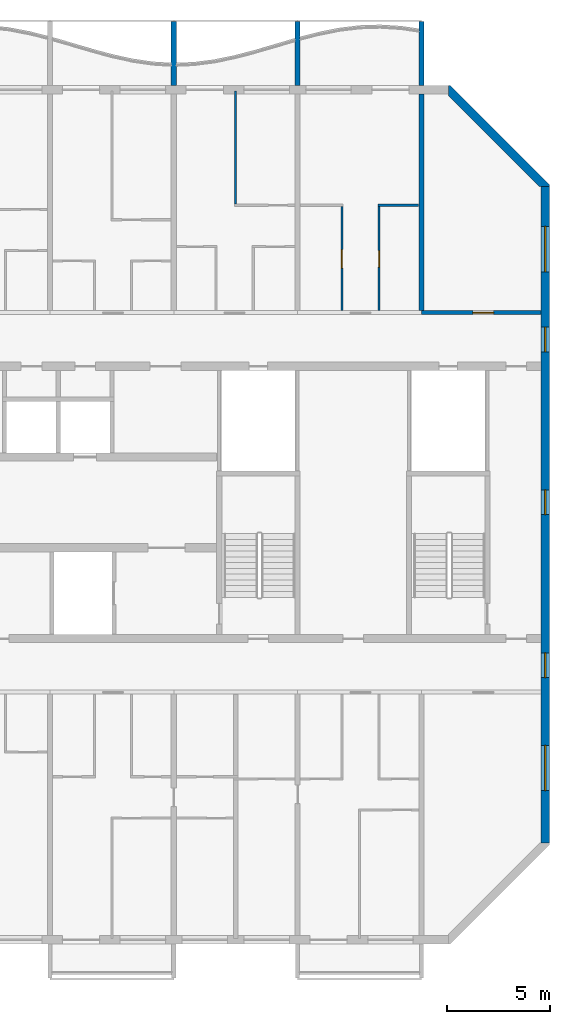
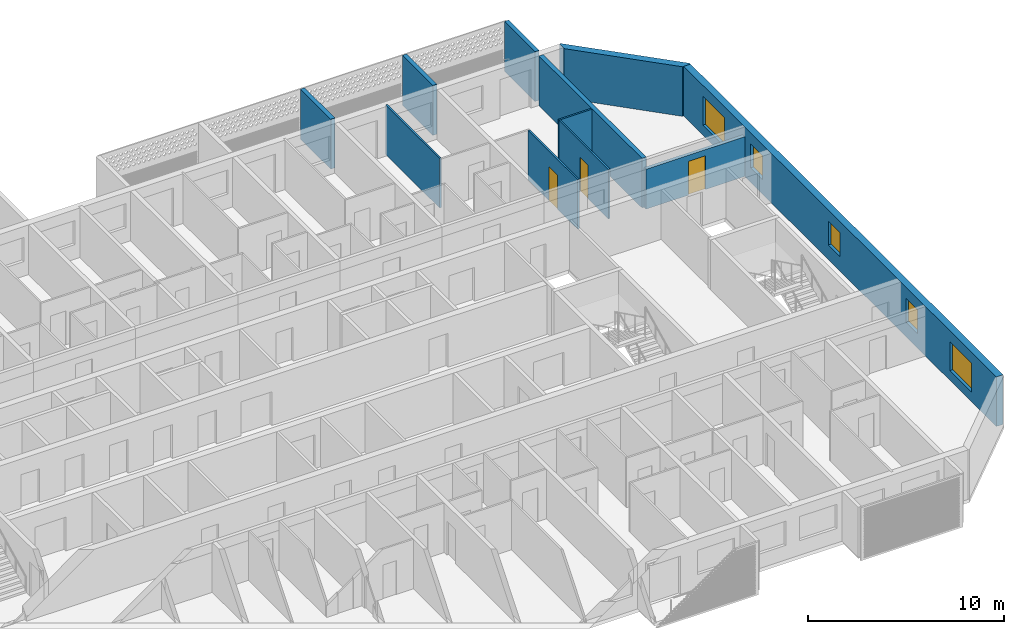
# One storey, part 11 of 28: 11 walls, 5 windows, 3 doors, 8 openings.
"""IFC4 building model written with IfcOpenShell, lengths in metres."""

import ifcopenshell
import ifcopenshell.guid

model = None  # the IFC model being written
_history = None  # IfcOwnerHistory: only IFC2X3 demands one
_inside = {}  # id of a spatial element -> (the spatial element, [elements in it])
_under = {}  # id of a project, library or spatial element -> (it, [spatial elements below it])
_declared = {}  # id of a project -> (the project, [libraries it declares])
_typed = {}  # id of a type object -> (the type object, [elements of that type])
_made_of = {}  # id of a material, layer set ... -> (it, [elements and type objects made of it])


def new_model(schema):
    """Start an empty IFC model of exactly this schema.

    Asked for "IFC4X3", IfcOpenShell would pick the latest addendum, in which some entities
    have other attributes; the version numbers below select the first issue.
    IFC2X3 requires an IfcOwnerHistory on every rooted entity: one is made here for all.
    """
    global model, _history
    if schema == "IFC4X3":
        model = ifcopenshell.file(schema_version=(4, 3, 0, 0))
    else:
        model = ifcopenshell.file(schema=schema)
    _inside.clear()
    _under.clear()
    _declared.clear()
    _typed.clear()
    _made_of.clear()
    _history = None
    if model.schema == "IFC2X3":
        org = make("IfcOrganization", Name="unknown")
        user = make(
            "IfcPersonAndOrganization",
            ThePerson=make("IfcPerson", FamilyName="unknown"),
            TheOrganization=org,
        )
        app = make(
            "IfcApplication",
            ApplicationDeveloper=org,
            Version="unknown",
            ApplicationFullName="unknown",
            ApplicationIdentifier="unknown",
        )
        _history = make(
            "IfcOwnerHistory",
            OwningUser=user,
            OwningApplication=app,
            ChangeAction="ADDED",
            CreationDate=0,
        )
    return model


def make(cls, **values):
    """One entity of the class cls with the attributes given. An attribute that is None is left unset."""
    return model.create_entity(
        cls, **{name: value for name, value in values.items() if value is not None}
    )


def rooted(cls, **values):
    """An entity with a GlobalId (a new one), such as an element, a storey or a relation."""
    return make(cls, GlobalId=ifcopenshell.guid.new(), OwnerHistory=_history, **values)


def si_unit(unit_type, name, prefix=None):
    """IfcSIUnit, for example si_unit("LENGTHUNIT", "METRE", prefix="MILLI")."""
    return make("IfcSIUnit", UnitType=unit_type, Prefix=prefix, Name=name)


def assignment(units):
    """IfcUnitAssignment: the units of a project."""
    return None if units is None else make("IfcUnitAssignment", Units=units)


def point(xyz):
    """IfcCartesianPoint."""
    return None if xyz is None else make("IfcCartesianPoint", Coordinates=xyz)


def direction(xyz):
    """IfcDirection."""
    return None if xyz is None else make("IfcDirection", DirectionRatios=xyz)


def frame(location, z_axis=None, x_axis=None):
    """IfcAxis2Placement3D, a coordinate frame: its origin and axes. An axis left out is left unset."""
    return make(
        "IfcAxis2Placement3D",
        Location=point(location),
        Axis=direction(z_axis),
        RefDirection=direction(x_axis),
    )


def frame_2d(location, x_axis=None):
    """IfcAxis2Placement2D, a coordinate frame in the plane: its origin and x axis."""
    return make(
        "IfcAxis2Placement2D", Location=point(location), RefDirection=direction(x_axis)
    )


def origin():
    """The frame at (0, 0, 0) with its axes left unset."""
    return frame((0.0, 0.0, 0.0))


def place(relative_to, where):
    """IfcLocalPlacement: puts the frame where relative to a parent placement (None: the world)."""
    return make(
        "IfcLocalPlacement", PlacementRelTo=relative_to, RelativePlacement=where
    )


def context(
    kind, dimensions, precision=None, world=None, true_north=None, identifier=None
):
    """IfcGeometricRepresentationContext, for example the 3D "Model" context."""
    return make(
        "IfcGeometricRepresentationContext",
        ContextIdentifier=identifier,
        ContextType=kind,
        CoordinateSpaceDimension=dimensions,
        Precision=precision,
        WorldCoordinateSystem=world,
        TrueNorth=true_north,
    )


def subcontext(parent, identifier, kind, view, scale=None):
    """IfcGeometricRepresentationSubContext, for example "Body" below "Model"."""
    return make(
        "IfcGeometricRepresentationSubContext",
        ContextIdentifier=identifier,
        ContextType=kind,
        ParentContext=parent,
        TargetScale=scale,
        TargetView=view,
    )


def project(units=None, contexts=None):
    """IfcProject with its units and contexts."""
    return rooted(
        "IfcProject",
        Name="project",
        RepresentationContexts=contexts,
        UnitsInContext=assignment(units),
    )


def spatial(cls, under=None, at=None, **own):
    """A site, building, storey or space (cls), placed at a placement, below another one or the project."""
    s = rooted(cls, ObjectPlacement=at, **own)
    if under is not None:
        _under.setdefault(under.id(), (under, []))[1].append(s)
    return s


def polyline(points):
    """IfcPolyline through the points."""
    return make("IfcPolyline", Points=[point(p) for p in points])


def profile(cls, at=None, kind="AREA", **sizes):
    """A parametric profile (cls). Its sizes go by their IFC names, for example OverallWidth=200.0."""
    return make(cls, ProfileType=kind, Position=at, **sizes)


def rectangle(**sizes):
    """IfcRectangleProfileDef."""
    return profile("IfcRectangleProfileDef", **sizes)


def outline(outer, holes=None, kind="AREA"):
    """IfcArbitraryClosedProfileDef: a profile drawn as a closed curve; with holes, ...WithVoids."""
    if holes is None:
        return make("IfcArbitraryClosedProfileDef", ProfileType=kind, OuterCurve=outer)
    return make(
        "IfcArbitraryProfileDefWithVoids",
        ProfileType=kind,
        OuterCurve=outer,
        InnerCurves=holes,
    )


def extrude(swept, where, along, depth):
    """IfcExtrudedAreaSolid: the profile swept, set in the frame where, extruded along a direction by depth."""
    return make(
        "IfcExtrudedAreaSolid",
        SweptArea=swept,
        Position=where,
        ExtrudedDirection=direction(along),
        Depth=depth,
    )


def shape(context_of_items, identifier, shape_type, items):
    """IfcShapeRepresentation: the items that make up one representation, for example the "Body"."""
    return make(
        "IfcShapeRepresentation",
        ContextOfItems=context_of_items,
        RepresentationIdentifier=identifier,
        RepresentationType=shape_type,
        Items=items,
    )


def source(mapping_origin, context_of_items, identifier, shape_type, items):
    """IfcRepresentationMap: a shape defined once, which mapped items show again and again."""
    return make(
        "IfcRepresentationMap",
        MappingOrigin=mapping_origin,
        MappedRepresentation=shape(context_of_items, identifier, shape_type, items),
    )


def transform(
    local_origin,
    x_axis=None,
    y_axis=None,
    z_axis=None,
    scale=None,
    scale2=None,
    scale3=None,
    uniform=True,
):
    """IfcCartesianTransformationOperator3D, or its non-uniform kind. x_axis, y_axis, z_axis: its Axis1, 2, 3."""
    if uniform:
        return make(
            "IfcCartesianTransformationOperator3D",
            Axis1=direction(x_axis),
            Axis2=direction(y_axis),
            LocalOrigin=point(local_origin),
            Scale=scale,
            Axis3=direction(z_axis),
        )
    return make(
        "IfcCartesianTransformationOperator3DnonUniform",
        Axis1=direction(x_axis),
        Axis2=direction(y_axis),
        LocalOrigin=point(local_origin),
        Scale=scale,
        Axis3=direction(z_axis),
        Scale2=scale2,
        Scale3=scale3,
    )


def mapped(mapping_source, mapping_target):
    """IfcMappedItem: shows the shape of a source again, moved by a transform."""
    return make(
        "IfcMappedItem", MappingSource=mapping_source, MappingTarget=mapping_target
    )


def material(Name=None, Category=None):
    """IfcMaterial."""
    return make("IfcMaterial", Name=Name, Category=Category)


def layer(
    of_material, thickness, ventilated=None, Name=None, Category=None, Priority=None
):
    """IfcMaterialLayer: one layer of a wall or slab, of a material (None: an air gap)."""
    return make(
        "IfcMaterialLayer",
        Material=of_material,
        LayerThickness=thickness,
        IsVentilated=ventilated,
        Name=Name,
        Category=Category,
        Priority=Priority,
    )


def layer_set(layers, Name=None):
    """IfcMaterialLayerSet."""
    return make("IfcMaterialLayerSet", MaterialLayers=layers, LayerSetName=Name)


def made_of(thing, what):
    """Note that an element or type object is made of a material, layer set ...; save() writes the relation."""
    if what is not None:
        _made_of.setdefault(what.id(), (what, []))[1].append(thing)
    return thing


def type_object(cls, material=None, **own):
    """A type object (cls), such as IfcWallType, which elements share."""
    return made_of(rooted(cls, **own), material)


def element(
    cls,
    number,
    at=None,
    inside=None,
    cuts=None,
    type_object=None,
    material=None,
    context=None,
    identifier="Body",
    shape_type=None,
    held_by="IfcProductDefinitionShape",
    body=None,
    shapes=None,
    **own,
):
    """One element of the class cls, such as IfcWall. Its Tag is "e" and its number.

    at: its placement. inside: the storey or other place that contains it. cuts: it is an
    opening in that element (IfcRelVoidsElement). A single representation is given by context,
    identifier, shape_type and body (its items); several are given by shapes. held_by: the class
    of the entity that holds the representations. save() writes the other relations.
    """
    e = rooted(cls, Tag="e%d" % number, ObjectPlacement=at, **own)
    if body is not None:
        shapes = [shape(context, identifier, shape_type, body)]
    if shapes is not None:
        e.Representation = make(held_by, Representations=shapes)
    if inside is not None:
        _inside.setdefault(inside.id(), (inside, []))[1].append(e)
    if cuts is not None:
        rooted(
            "IfcRelVoidsElement", RelatingBuildingElement=cuts, RelatedOpeningElement=e
        )
    if type_object is not None:
        _typed.setdefault(type_object.id(), (type_object, []))[1].append(e)
    return made_of(e, material)


def fill(opening, filler):
    """IfcRelFillsElement: the door or window that sits in an opening."""
    return rooted(
        "IfcRelFillsElement",
        RelatingOpeningElement=opening,
        RelatedBuildingElement=filler,
    )


def aggregate(whole, parts):
    """IfcRelAggregates: a whole, such as a stair, and the parts it consists of."""
    return rooted("IfcRelAggregates", RelatingObject=whole, RelatedObjects=parts)


def save(model, path):
    """Write the relations noted so far, then the file.

    IfcRelAggregates (storeys below a building ...), IfcRelContainedInSpatialStructure (elements
    in a storey), IfcRelDefinesByType, IfcRelAssociatesMaterial and IfcRelDeclares: one each for
    every whole, place, type object, material and project.
    """
    for whole, parts in _under.values():
        aggregate(whole, parts)
    for where, things in _inside.values():
        rooted(
            "IfcRelContainedInSpatialStructure",
            RelatedElements=things,
            RelatingStructure=where,
        )
    for kind, things in _typed.values():
        rooted("IfcRelDefinesByType", RelatedObjects=things, RelatingType=kind)
    for what, things in _made_of.values():
        rooted("IfcRelAssociatesMaterial", RelatedObjects=things, RelatingMaterial=what)
    for by, libraries in _declared.values():
        rooted("IfcRelDeclares", RelatingContext=by, RelatedDefinitions=libraries)
    model.write(path)


model = new_model("IFC4")

# Units and contexts
model_context = context("Model", 3, precision=1e-05, world=origin(), true_north=direction((0.0, 1.0)))
body_context = subcontext(model_context, "Body", "Model", "MODEL_VIEW")
ifc_project = project(units=[si_unit("LENGTHUNIT", "METRE"), si_unit("AREAUNIT", "SQUARE_METRE"), si_unit("VOLUMEUNIT", "CUBIC_METRE"), si_unit("PLANEANGLEUNIT", "RADIAN"), si_unit("MASSUNIT", "GRAM", prefix="KILO")], contexts=[model_context])

# Site, building, storey
site_placement = place(None, origin())
site = spatial("IfcSite", under=ifc_project, at=site_placement, CompositionType="ELEMENT")
building_placement = place(site_placement, origin())
building = spatial("IfcBuilding", under=site, at=building_placement, Name="Poui Terraces", CompositionType="ELEMENT")
storey_placement = place(building_placement, frame((0.0, 0.0, 188.39990234375)))
storey = spatial("IfcBuildingStorey", under=building, at=storey_placement, Name="L52", CompositionType="ELEMENT", Elevation=188.39990234375)

# Wall, opening, door
ifc_material_1 = material(Name="Concrete 50 MPa", Category="concrete")
ifc_layer_1 = layer(ifc_material_1, 0.199951171875)
ifc_layer_set_1 = layer_set([ifc_layer_1], Name="Concrete 50 MPa")
wall_type_1 = type_object("IfcWallType", Name="CORRIDOR WALL 200 50MPa", PredefinedType="SHEAR", material=ifc_layer_set_1)
wall_1_placement = place(storey_placement, frame((78.0, 30.39990234375, 0.0), z_axis=(0.0, 0.0, 1.0), x_axis=(1.0, 0.0, 0.0)))
wall_1 = element("IfcWall", 1, at=wall_1_placement, inside=storey, type_object=wall_type_1, Name="CORRIDOR WALL LINE E BAY 11", PredefinedType="SHEAR", context=body_context, shape_type="SweptSolid", body=[
    extrude(rectangle(XDim=5.800048828125, YDim=0.199951171875, at=frame_2d((2.89990234375, 0.0))), origin(), (0.0, 0.0, 1.0), 2.47998046875),
])
opening_1_placement = place(wall_1_placement, frame((2.5, 0.0, 0.0)))
opening_1 = element("IfcOpeningElement", 2, at=opening_1_placement, cuts=wall_1, Name="Opening D100", PredefinedType="OPENING", context=body_context, shape_type="SweptSolid", body=[
    extrude(rectangle(XDim=1.0, YDim=2.10009765625, at=frame_2d((0.5, 1.050048828125))), frame((0.0, 0.10986328125, 0.0), z_axis=(0.0, -1.0, 0.0), x_axis=(1.0, 0.0, 0.0)), (0.0, 0.0, 1.0), 0.219970703125),
])
ifc_material_2 = material(Name="Solid core timber door", Category="wood")
door_type_1 = type_object("IfcDoorType", Name="ACCESSIBLE INTERNAL DOOR 1000 X 2100", OperationType="NOTDEFINED", PredefinedType="DOOR", material=ifc_material_2)
door_1_placement = place(opening_1_placement, origin())
door_1 = element("IfcDoor", 3, at=door_1_placement, inside=storey, type_object=door_type_1, Name="ACCESSIBLE INTERNAL DOOR 063", OperationType="SINGLE_SWING_LEFT", OverallHeight=2.10009765625, OverallWidth=1.0, PredefinedType="DOOR", context=body_context, shape_type="SweptSolid", body=[
    extrude(rectangle(XDim=1.0, YDim=2.10009765625, at=frame_2d((0.5, 1.050048828125))), frame((0.0, 0.02490234375, 0.0), z_axis=(0.0, -1.0, 0.0), x_axis=(1.0, 0.0, 0.0)), (0.0, 0.0, 1.0), 0.050048828125),
])
fill(opening_1, door_1)

# Wall
ifc_layer_2 = layer(ifc_material_1, 0.25)
ifc_layer_set_2 = layer_set([ifc_layer_2], Name="Concrete 50 MPa")
wall_type_2 = type_object("IfcWallType", Name="CROSS WALL 250 50MPa", PredefinedType="SHEAR", material=ifc_layer_set_2)
wall_2_placement = place(storey_placement, frame((78.0, 30.5, 0.0), z_axis=(0.0, 0.0, 1.0), x_axis=(0.0, 1.0, 0.0)))
element("IfcWall", 4, at=wall_2_placement, inside=storey, type_object=wall_type_2, Name="CROSS WALL LINE 14 NORTH", PredefinedType="SHEAR", context=body_context, shape_type="SweptSolid", body=[
    extrude(rectangle(XDim=10.5, YDim=0.25, at=frame_2d((5.25, 0.0))), origin(), (0.0, 0.0, 1.0), 3.080078125),
])

# Wall, openings, windows
ifc_layer_3 = layer(ifc_material_1, 0.39990234375)
ifc_layer_set_3 = layer_set([ifc_layer_3], Name="Concrete 50 MPa")
wall_type_3 = type_object("IfcWallType", Name="END WALL 400 50MPa", PredefinedType="SHEAR", material=ifc_layer_set_3)
wall_3_placement = place(storey_placement, frame((84.0, 4.682861328125, 0.0), z_axis=(0.0, 0.0, 1.0), x_axis=(0.0, 1.0, 0.0)))
wall_3 = element("IfcWall", 5, at=wall_3_placement, inside=storey, type_object=wall_type_3, Name="END WALL EAST", PredefinedType="SHEAR", context=body_context, shape_type="SweptSolid", body=[
    extrude(rectangle(XDim=31.834228515625, YDim=0.39990234375, at=frame_2d((15.9169921875, 0.0))), origin(), (0.0, 0.0, 1.0), 3.080078125),
])
opening_2_placement = place(wall_3_placement, frame((23.817138671875, 0.0, 0.89990234375)))
opening_2 = element("IfcOpeningElement", 6, at=opening_2_placement, cuts=wall_3, Name="Opening W2", PredefinedType="OPENING", context=body_context, shape_type="SweptSolid", body=[
    extrude(rectangle(XDim=1.199951171875, YDim=1.5, at=frame_2d((0.60009765625, 0.75))), frame((0.0, 0.2099609375, 0.0), z_axis=(0.0, -1.0, 0.0), x_axis=(1.0, 0.0, 0.0)), (0.0, 0.0, 1.0), 0.419921875),
])
opening_3_placement = place(wall_3_placement, frame((8.01708984375, 0.0, 0.89990234375)))
opening_3 = element("IfcOpeningElement", 7, at=opening_3_placement, cuts=wall_3, Name="Opening W2", PredefinedType="OPENING", context=body_context, shape_type="SweptSolid", body=[
    extrude(rectangle(XDim=1.199951171875, YDim=1.5, at=frame_2d((0.60009765625, 0.75))), frame((0.0, 0.2099609375, 0.0), z_axis=(0.0, -1.0, 0.0), x_axis=(1.0, 0.0, 0.0)), (0.0, 0.0, 1.0), 0.419921875),
])
opening_4_placement = place(wall_3_placement, frame((27.693603515625, 0.0, 0.60009765625)))
opening_4 = element("IfcOpeningElement", 8, at=opening_4_placement, cuts=wall_3, Name="Opening W3", PredefinedType="OPENING", context=body_context, shape_type="SweptSolid", body=[
    extrude(rectangle(XDim=2.199951171875, YDim=1.800048828125, at=frame_2d((1.10009765625, 0.89990234375))), frame((0.0, 0.2099609375, 0.0), z_axis=(0.0, -1.0, 0.0), x_axis=(1.0, 0.0, 0.0)), (0.0, 0.0, 1.0), 0.419921875),
])
opening_5_placement = place(wall_3_placement, frame((2.541015625, 0.0, 0.60009765625)))
opening_5 = element("IfcOpeningElement", 9, at=opening_5_placement, cuts=wall_3, Name="Opening W3", PredefinedType="OPENING", context=body_context, shape_type="SweptSolid", body=[
    extrude(rectangle(XDim=2.199951171875, YDim=1.800048828125, at=frame_2d((1.10009765625, 0.89990234375))), frame((0.0, 0.2099609375, 0.0), z_axis=(0.0, -1.0, 0.0), x_axis=(1.0, 0.0, 0.0)), (0.0, 0.0, 1.0), 0.419921875),
])
opening_6_placement = place(wall_3_placement, frame((15.917236328125, 0.0, 0.89990234375)))
opening_6 = element("IfcOpeningElement", 10, at=opening_6_placement, cuts=wall_3, Name="Opening W2", PredefinedType="OPENING", context=body_context, shape_type="SweptSolid", body=[
    extrude(rectangle(XDim=1.199951171875, YDim=1.5, at=frame_2d((0.60009765625, 0.75))), frame((0.0, 0.2099609375, 0.0), z_axis=(0.0, -1.0, 0.0), x_axis=(1.0, 0.0, 0.0)), (0.0, 0.0, 1.0), 0.419921875),
])
ifc_material_3 = material(Name="Clear glass in aluminium frame", Category="aluminium")
window_type_1 = type_object("IfcWindowType", Name="WINDOW 1200X1500", PartitioningType="SINGLE_PANEL", PredefinedType="WINDOW", material=ifc_material_3)
window_1_placement = place(opening_2_placement, origin())
window_1 = element("IfcWindow", 11, at=window_1_placement, inside=storey, type_object=window_type_1, Name="W2 WINDOW", OverallHeight=1.5, OverallWidth=1.199951171875, PartitioningType="SINGLE_PANEL", PredefinedType="WINDOW", context=body_context, shape_type="SweptSolid", body=[
    extrude(rectangle(XDim=1.199951171875, YDim=1.5, at=frame_2d((0.60009765625, 0.75))), frame((0.0, 0.030029296875, 0.0), z_axis=(0.0, -1.0, 0.0), x_axis=(1.0, 0.0, 0.0)), (0.0, 0.0, 1.0), 0.06005859375),
])
fill(opening_2, window_1)
window_2_placement = place(opening_3_placement, origin())
window_2 = element("IfcWindow", 12, at=window_2_placement, inside=storey, type_object=window_type_1, Name="W2 WINDOW", OverallHeight=1.5, OverallWidth=1.199951171875, PartitioningType="SINGLE_PANEL", PredefinedType="WINDOW", context=body_context, shape_type="SweptSolid", body=[
    extrude(rectangle(XDim=1.199951171875, YDim=1.5, at=frame_2d((0.60009765625, 0.75))), frame((0.0, 0.030029296875, 0.0), z_axis=(0.0, -1.0, 0.0), x_axis=(1.0, 0.0, 0.0)), (0.0, 0.0, 1.0), 0.06005859375),
])
fill(opening_3, window_2)
window_3_placement = place(opening_6_placement, origin())
window_3 = element("IfcWindow", 13, at=window_3_placement, inside=storey, type_object=window_type_1, Name="W2 WINDOW", OverallHeight=1.5, OverallWidth=1.199951171875, PartitioningType="SINGLE_PANEL", PredefinedType="WINDOW", context=body_context, shape_type="SweptSolid", body=[
    extrude(rectangle(XDim=1.199951171875, YDim=1.5, at=frame_2d((0.60009765625, 0.75))), frame((0.0, 0.030029296875, 0.0), z_axis=(0.0, -1.0, 0.0), x_axis=(1.0, 0.0, 0.0)), (0.0, 0.0, 1.0), 0.06005859375),
])
fill(opening_6, window_3)
window_type_2 = type_object("IfcWindowType", Name="WINDOW 2200X1800", PartitioningType="DOUBLE_PANEL_HORIZONTAL", PredefinedType="WINDOW", material=ifc_material_3)
window_4_placement = place(opening_4_placement, origin())
window_4 = element("IfcWindow", 14, at=window_4_placement, inside=storey, type_object=window_type_2, Name="W3 WINDOW", OverallHeight=1.800048828125, OverallWidth=2.199951171875, PartitioningType="DOUBLE_PANEL_HORIZONTAL", PredefinedType="WINDOW", context=body_context, shape_type="SweptSolid", body=[
    extrude(rectangle(XDim=2.199951171875, YDim=1.800048828125, at=frame_2d((1.10009765625, 0.89990234375))), frame((0.0, 0.030029296875, 0.0), z_axis=(0.0, -1.0, 0.0), x_axis=(1.0, 0.0, 0.0)), (0.0, 0.0, 1.0), 0.06005859375),
])
fill(opening_4, window_4)
window_5_placement = place(opening_5_placement, origin())
window_5 = element("IfcWindow", 15, at=window_5_placement, inside=storey, type_object=window_type_2, Name="W3 WINDOW", OverallHeight=1.800048828125, OverallWidth=2.199951171875, PartitioningType="DOUBLE_PANEL_HORIZONTAL", PredefinedType="WINDOW", context=body_context, shape_type="SweptSolid", body=[
    extrude(rectangle(XDim=2.199951171875, YDim=1.800048828125, at=frame_2d((1.10009765625, 0.89990234375))), frame((0.0, 0.030029296875, 0.0), z_axis=(0.0, -1.0, 0.0), x_axis=(1.0, 0.0, 0.0)), (0.0, 0.0, 1.0), 0.06005859375),
])
fill(opening_5, window_5)

# Walls
ifc_material_4 = material(Name="Plasterboard partition")
ifc_layer_4 = layer(ifc_material_4, 0.10009765625)
ifc_layer_set_4 = layer_set([ifc_layer_4], Name="Plasterboard partition")
wall_type_4 = type_object("IfcWallType", Name="FLAT PARTITION 100", PredefinedType="PARTITIONING", material=ifc_layer_set_4)
wall_4_placement = place(storey_placement, frame((75.89990234375, 35.60009765625, 0.0), z_axis=(0.0, 0.0, 1.0), x_axis=(1.0, 0.0, 0.0)))
element("IfcWall", 16, at=wall_4_placement, inside=storey, type_object=wall_type_4, Name="FLAT PARTITION 100", PredefinedType="PARTITIONING", context=body_context, shape_type="SweptSolid", body=[
    extrude(rectangle(XDim=1.965087890625, YDim=0.10009765625, at=frame_2d((0.982421875, 0.0))), origin(), (0.0, 0.0, 1.0), 3.080078125),
])
wall_5_placement = place(storey_placement, frame((69.0, 35.64990234375, 0.0), z_axis=(0.0, 0.0, 1.0), x_axis=(0.0, 1.0, 0.0)))
element("IfcWall", 17, at=wall_5_placement, inside=storey, type_object=wall_type_4, Name="FLAT PARTITION 100", PredefinedType="PARTITIONING", context=body_context, shape_type="SweptSolid", body=[
    extrude(rectangle(XDim=5.489990234375, YDim=0.10009765625, at=frame_2d((2.7451171875, 0.0))), origin(), (0.0, 0.0, 1.0), 3.080078125),
])

# Wall, opening, door
wall_6_placement = place(storey_placement, frame((74.14990234375, 30.510009765625, 0.0), z_axis=(0.0, 0.0, 1.0), x_axis=(0.0, 1.0, 0.0)))
wall_6 = element("IfcWall", 18, at=wall_6_placement, inside=storey, type_object=wall_type_4, Name="FLAT PARTITION 100", PredefinedType="PARTITIONING", context=body_context, shape_type="SweptSolid", body=[
    extrude(rectangle(XDim=5.0400390625, YDim=0.10009765625, at=frame_2d((2.52001953125, 0.0))), origin(), (0.0, 0.0, 1.0), 3.080078125),
])
opening_7_placement = place(wall_6_placement, frame((2.0400390625, 0.0, 0.0)))
opening_7 = element("IfcOpeningElement", 19, at=opening_7_placement, cuts=wall_6, Name="Opening D90", PredefinedType="OPENING", context=body_context, shape_type="SweptSolid", body=[
    extrude(rectangle(XDim=0.89990234375, YDim=2.10009765625, at=frame_2d((0.449951171875, 1.050048828125))), frame((0.0, 0.06005859375, 0.0), z_axis=(0.0, -1.0, 0.0), x_axis=(1.0, 0.0, 0.0)), (0.0, 0.0, 1.0), 0.1201171875),
])
door_type_2 = type_object("IfcDoorType", Name="INTERNAL DOOR 900 X 2100", OperationType="NOTDEFINED", PredefinedType="DOOR", material=ifc_material_2)
door_2_placement = place(opening_7_placement, origin())
door_2 = element("IfcDoor", 20, at=door_2_placement, inside=storey, type_object=door_type_2, Name="INTERNAL DOOR 060", OperationType="SINGLE_SWING_LEFT", OverallHeight=2.10009765625, OverallWidth=0.89990234375, PredefinedType="DOOR", context=body_context, shape_type="SweptSolid", body=[
    extrude(rectangle(XDim=0.89990234375, YDim=2.10009765625, at=frame_2d((0.449951171875, 1.050048828125))), frame((0.0, 0.02490234375, 0.0), z_axis=(0.0, -1.0, 0.0), x_axis=(1.0, 0.0, 0.0)), (0.0, 0.0, 1.0), 0.050048828125),
])
fill(opening_7, door_2)

wall_7_placement = place(storey_placement, frame((75.949951171875, 30.510009765625, 0.0), z_axis=(0.0, 0.0, 1.0), x_axis=(0.0, 1.0, 0.0)))
wall_7 = element("IfcWall", 21, at=wall_7_placement, inside=storey, type_object=wall_type_4, Name="FLAT PARTITION 100", PredefinedType="PARTITIONING", context=body_context, shape_type="SweptSolid", body=[
    extrude(rectangle(XDim=5.0400390625, YDim=0.10009765625, at=frame_2d((2.52001953125, 0.0))), origin(), (0.0, 0.0, 1.0), 3.080078125),
])
opening_8_placement = place(wall_7_placement, frame((2.090087890625, 0.0, 0.0)))
opening_8 = element("IfcOpeningElement", 22, at=opening_8_placement, cuts=wall_7, Name="Opening D80", PredefinedType="OPENING", context=body_context, shape_type="SweptSolid", body=[
    extrude(rectangle(XDim=0.800048828125, YDim=2.10009765625, at=frame_2d((0.39990234375, 1.050048828125))), frame((0.0, 0.06005859375, 0.0), z_axis=(0.0, -1.0, 0.0), x_axis=(1.0, 0.0, 0.0)), (0.0, 0.0, 1.0), 0.1201171875),
])
door_type_3 = type_object("IfcDoorType", Name="BATHROOM, LAUNDRY AND STORE DOOR 800 X 2100", OperationType="NOTDEFINED", PredefinedType="DOOR", material=ifc_material_2)
door_3_placement = place(opening_8_placement, frame((0.800048828125, 0.0, 0.0), z_axis=(0.0, 0.0, 1.0), x_axis=(-1.0, 0.0, 0.0)))
door_3 = element("IfcDoor", 23, at=door_3_placement, inside=storey, type_object=door_type_3, Name="BATHROOM, LAUNDRY AND STORE DOOR 062", OperationType="SINGLE_SWING_LEFT", OverallHeight=2.10009765625, OverallWidth=0.800048828125, PredefinedType="DOOR", context=body_context, shape_type="SweptSolid", body=[
    extrude(rectangle(XDim=0.800048828125, YDim=2.10009765625, at=frame_2d((0.39990234375, 1.050048828125))), frame((0.0, 0.02490234375, 0.0), z_axis=(0.0, -1.0, 0.0), x_axis=(1.0, 0.0, 0.0)), (0.0, 0.0, 1.0), 0.050048828125),
])
fill(opening_8, door_3)

# Walls
ifc_material_5 = material(Name="Precast concrete 40 MPa", Category="concrete")
ifc_layer_5 = layer(ifc_material_5, 0.39990234375)
ifc_layer_set_5 = layer_set([ifc_layer_5], Name="Precast concrete 40 MPa")
wall_type_5 = type_object("IfcWallType", Name="TERRACOTTA CLAD CHAMFER WALL 400", PredefinedType="STANDARD", material=ifc_layer_set_5)
wall_8_placement = place(storey_placement, origin())
element("IfcWall", 24, at=wall_8_placement, inside=storey, type_object=wall_type_5, Name="CHAMFER WALL CH03", PredefinedType="STANDARD", context=body_context, shape_type="SweptSolid", body=[
    extrude(outline(polyline([(84.199951171875, 36.51708984375), (84.199951171875, 36.60009765625), (79.39990234375, 41.39990234375), (79.317138671875, 41.39990234375), (79.317138671875, 40.917236328125), (83.71728515625, 36.51708984375), (84.199951171875, 36.51708984375)])), origin(), (0.0, 0.0, 1.0), 3.080078125),
])
ifc_layer_6 = layer(ifc_material_5, 0.25)
ifc_layer_set_6 = layer_set([ifc_layer_6], Name="Precast concrete 40 MPa")
wall_type_6 = type_object("IfcWallType", Name="BALCONY FIN 250", PredefinedType="STANDARD", material=ifc_layer_set_6)
shared_shape = source(origin(), body_context, "Body", "SweptSolid", [
    extrude(outline(polyline([(0.0, 0.0), (0.25, 0.0), (0.25, 3.10009765625), (0.0, 3.10009765625), (0.0, 0.0)])), origin(), (0.0, 0.0, 1.0), 3.10009765625),
])
for number, where, name in (
    (25, (65.875, 41.39990234375, 0.0), "BALCONY FIN"),
    (26, (71.875, 41.39990234375, 0.0), "BALCONY FIN"),
    (27, (77.875, 41.39990234375, 0.0), "BALCONY FIN"),
):
    element("IfcWall", number, at=place(storey_placement, frame(where)), inside=storey, type_object=wall_type_6, Name=name, PredefinedType="STANDARD", context=body_context, shape_type="MappedRepresentation", body=[
        mapped(shared_shape, transform((0.0, 0.0, 0.0))),
    ])

save(model, "model.ifc")
